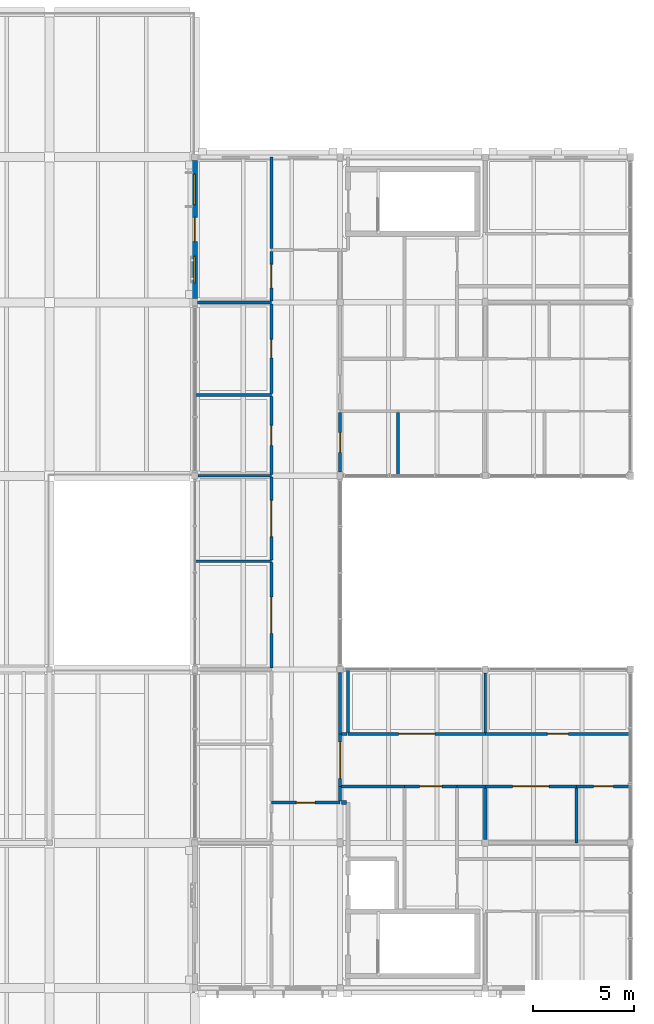
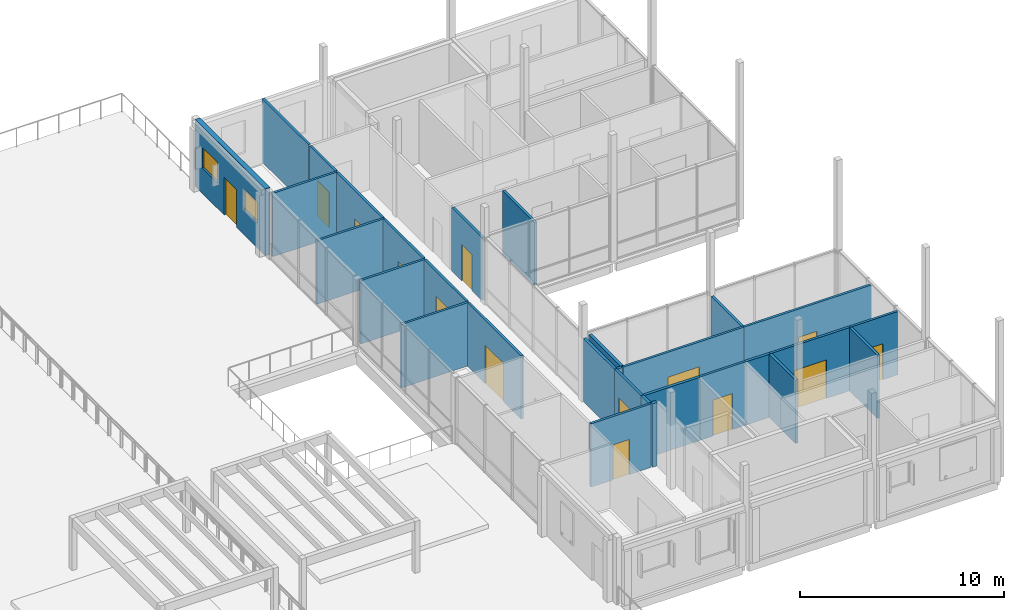
# One storey, part 93 of 115: 30 walls, 14 doors, 2 windows, 16 openings.
"""IFC4 building model written with IfcOpenShell, lengths in metres."""

from ifc_helpers import new_model, si_unit, direction, frame, frame_2d, origin, place, context, subcontext, project, spatial, rectangle, extrude, material, layer, layer_set, type_object, element, fill, save


model = new_model("IFC4")

# Units and contexts
model_context = context("Model", 3, precision=1e-05, world=origin(), true_north=direction((0.0, 1.0)))
body_context = subcontext(model_context, "Body", "Model", "MODEL_VIEW")
ifc_project = project(units=[si_unit("LENGTHUNIT", "METRE"), si_unit("AREAUNIT", "SQUARE_METRE"), si_unit("VOLUMEUNIT", "CUBIC_METRE"), si_unit("PLANEANGLEUNIT", "RADIAN"), si_unit("MASSUNIT", "GRAM", prefix="KILO")], contexts=[model_context])

# Site, building, storey
site_placement = place(None, origin())
site = spatial("IfcSite", under=ifc_project, at=site_placement, CompositionType="ELEMENT")
building_placement = place(site_placement, origin())
building = spatial("IfcBuilding", under=site, at=building_placement, Name="Hawrajan Terrace Health Centre", CompositionType="ELEMENT")
storey_placement = place(building_placement, frame((0.0, 0.0, 9.0)))
storey = spatial("IfcBuildingStorey", under=building, at=storey_placement, Name="L02", CompositionType="ELEMENT", Elevation=9.0)

# Walls
ifc_material_1 = material(Name="Gypsum board on acoustic stud framing")
ifc_layer_1 = layer(ifc_material_1, 0.139892578125)
ifc_layer_set_1 = layer_set([ifc_layer_1], Name="Gypsum board on acoustic stud framing")
wall_type_1 = type_object("IfcWallType", Name="ClinicalAcousticWall_140", PredefinedType="PARTITIONING", material=ifc_layer_set_1)
wall_1_placement = place(storey_placement, frame((143.800048828125, 32.56591796875, 0.0), z_axis=(0.0, 0.0, 1.0), x_axis=(1.0, 0.0, 0.0)))
element("IfcWall", 1, at=wall_1_placement, inside=storey, type_object=wall_type_1, Name="Interior wall IW-L02-1166", PredefinedType="PARTITIONING", context=body_context, shape_type="SweptSolid", body=[
    extrude(rectangle(XDim=3.800048828125, YDim=0.139892578125, at=frame_2d((1.89990234375, 0.0))), origin(), (0.0, 0.0, 1.0), 3.780029296875),
])
wall_2_placement = place(storey_placement, frame((143.9599609375, 36.800048828125, 0.0), z_axis=(0.0, 0.0, 1.0), x_axis=(1.0, 0.0, 0.0)))
element("IfcWall", 2, at=wall_2_placement, inside=storey, type_object=wall_type_1, Name="Interior wall IW-L02-1167", PredefinedType="PARTITIONING", context=body_context, shape_type="SweptSolid", body=[
    extrude(rectangle(XDim=3.64013671875, YDim=0.139892578125, at=frame_2d((1.820068359375, 0.0))), origin(), (0.0, 0.0, 1.0), 3.780029296875),
])
wall_3_placement = place(storey_placement, frame((143.800048828125, 40.80810546875, 0.0), z_axis=(0.0, 0.0, 1.0), x_axis=(1.0, 0.0, 0.0)))
element("IfcWall", 3, at=wall_3_placement, inside=storey, type_object=wall_type_1, Name="Interior wall IW-L02-1168", PredefinedType="PARTITIONING", context=body_context, shape_type="SweptSolid", body=[
    extrude(rectangle(XDim=3.800048828125, YDim=0.139892578125, at=frame_2d((1.89990234375, 0.0))), origin(), (0.0, 0.0, 1.0), 3.780029296875),
])
wall_4_placement = place(storey_placement, frame((143.93994140625, 45.39990234375, 0.0), z_axis=(0.0, 0.0, 1.0), x_axis=(1.0, 0.0, 0.0)))
element("IfcWall", 4, at=wall_4_placement, inside=storey, type_object=wall_type_1, Name="Interior wall IW-L02-1169", PredefinedType="PARTITIONING", context=body_context, shape_type="SweptSolid", body=[
    extrude(rectangle(XDim=3.66015625, YDim=0.139892578125, at=frame_2d((1.830078125, 0.0))), origin(), (0.0, 0.0, 1.0), 3.780029296875),
])

# Wall, opening, door
wall_5_placement = place(storey_placement, frame((147.60009765625, 20.60009765625, 0.0), z_axis=(0.0, 0.0, 1.0), x_axis=(1.0, 0.0, 0.0)))
wall_5 = element("IfcWall", 5, at=wall_5_placement, inside=storey, type_object=wall_type_1, Name="Interior wall IW-L02-1173", PredefinedType="PARTITIONING", context=body_context, shape_type="SweptSolid", body=[
    extrude(rectangle(XDim=3.39990234375, YDim=0.139892578125, at=frame_2d((1.699951171875, 0.0))), origin(), (0.0, 0.0, 1.0), 3.780029296875),
])
opening_1_placement = place(wall_5_placement, frame((1.239990234375, 0.0, 0.0)))
opening_1 = element("IfcOpeningElement", 6, at=opening_1_placement, cuts=wall_5, Name="Opening D-L02-443", PredefinedType="OPENING", context=body_context, shape_type="SweptSolid", body=[
    extrude(rectangle(XDim=0.919921875, YDim=2.10009765625, at=frame_2d((0.4599609375, 1.050048828125))), frame((0.0, 0.079833984375, 0.0), z_axis=(0.0, -1.0, 0.0), x_axis=(1.0, 0.0, 0.0)), (0.0, 0.0, 1.0), 0.159912109375),
])
ifc_material_2 = material(Name="Hardwood acoustic clinical door leaf and frame", Category="wood")
door_type_1 = type_object("IfcDoorType", Name="StaffOfficeDoor_920x2100", OperationType="NOTDEFINED", PredefinedType="DOOR", material=ifc_material_2)
door_1_placement = place(opening_1_placement, origin())
door_1 = element("IfcDoor", 7, at=door_1_placement, inside=storey, type_object=door_type_1, Name="Interior door D-L02-443", OperationType="SINGLE_SWING_LEFT", OverallHeight=2.10009765625, OverallWidth=0.919921875, PredefinedType="DOOR", context=body_context, shape_type="SweptSolid", body=[
    extrude(rectangle(XDim=0.919921875, YDim=2.10009765625, at=frame_2d((0.4599609375, 1.050048828125))), frame((0.0, 0.02490234375, 0.0), z_axis=(0.0, -1.0, 0.0), x_axis=(1.0, 0.0, 0.0)), (0.0, 0.0, 1.0), 0.050048828125),
])
fill(opening_1, door_1)

wall_6_placement = place(storey_placement, frame((147.60009765625, 27.27001953125, 0.0), z_axis=(0.0, 0.0, 1.0), x_axis=(0.0, 1.0, 0.0)))
wall_6 = element("IfcWall", 8, at=wall_6_placement, inside=storey, type_object=wall_type_1, Name="Interior wall IW-L02-1175", PredefinedType="PARTITIONING", context=body_context, shape_type="SweptSolid", body=[
    extrude(rectangle(XDim=5.22607421875, YDim=0.139892578125, at=frame_2d((2.613037109375, 0.0))), origin(), (0.0, 0.0, 1.0), 3.780029296875),
])
opening_2_placement = place(wall_6_placement, frame((1.712890625, 0.0, 0.0)))
opening_2 = element("IfcOpeningElement", 9, at=opening_2_placement, cuts=wall_6, Name="Opening D-L02-548", PredefinedType="OPENING", context=body_context, shape_type="SweptSolid", body=[
    extrude(rectangle(XDim=1.800048828125, YDim=2.300048828125, at=frame_2d((0.89990234375, 1.14990234375))), frame((0.0, 0.079833984375, 0.0), z_axis=(0.0, -1.0, 0.0), x_axis=(1.0, 0.0, 0.0)), (0.0, 0.0, 1.0), 0.159912109375),
])
door_type_2 = type_object("IfcDoorType", Name="EducationHallDoor_1800x2300", OperationType="DOUBLE_DOOR_SINGLE_SWING", PredefinedType="DOOR", material=ifc_material_2)
door_2_placement = place(opening_2_placement, origin())
door_2 = element("IfcDoor", 10, at=door_2_placement, inside=storey, type_object=door_type_2, Name="Interior door D-L02-548", OperationType="DOUBLE_DOOR_SINGLE_SWING", OverallHeight=2.300048828125, OverallWidth=1.800048828125, PredefinedType="DOOR", context=body_context, shape_type="SweptSolid", body=[
    extrude(rectangle(XDim=1.800048828125, YDim=2.300048828125, at=frame_2d((0.89990234375, 1.14990234375))), frame((0.0, 0.02490234375, 0.0), z_axis=(0.0, -1.0, 0.0), x_axis=(1.0, 0.0, 0.0)), (0.0, 0.0, 1.0), 0.050048828125),
])
fill(opening_2, door_2)

wall_7_placement = place(storey_placement, frame((147.60009765625, 32.635986328125, 0.0), z_axis=(0.0, 0.0, 1.0), x_axis=(0.0, 1.0, 0.0)))
wall_7 = element("IfcWall", 11, at=wall_7_placement, inside=storey, type_object=wall_type_1, Name="Interior wall IW-L02-1176", PredefinedType="PARTITIONING", context=body_context, shape_type="SweptSolid", body=[
    extrude(rectangle(XDim=4.093994140625, YDim=0.139892578125, at=frame_2d((2.046875, 0.0))), origin(), (0.0, 0.0, 1.0), 3.780029296875),
])
opening_3_placement = place(wall_7_placement, frame((1.14697265625, 0.0, 0.0)))
opening_3 = element("IfcOpeningElement", 12, at=opening_3_placement, cuts=wall_7, Name="Opening D-L02-549", PredefinedType="OPENING", context=body_context, shape_type="SweptSolid", body=[
    extrude(rectangle(XDim=1.800048828125, YDim=2.300048828125, at=frame_2d((0.89990234375, 1.14990234375))), frame((0.0, 0.079833984375, 0.0), z_axis=(0.0, -1.0, 0.0), x_axis=(1.0, 0.0, 0.0)), (0.0, 0.0, 1.0), 0.159912109375),
])
door_3_placement = place(opening_3_placement, origin())
door_3 = element("IfcDoor", 13, at=door_3_placement, inside=storey, type_object=door_type_2, Name="Interior door D-L02-549", OperationType="DOUBLE_DOOR_SINGLE_SWING", OverallHeight=2.300048828125, OverallWidth=1.800048828125, PredefinedType="DOOR", context=body_context, shape_type="SweptSolid", body=[
    extrude(rectangle(XDim=1.800048828125, YDim=2.300048828125, at=frame_2d((0.89990234375, 1.14990234375))), frame((0.0, 0.02490234375, 0.0), z_axis=(0.0, -1.0, 0.0), x_axis=(1.0, 0.0, 0.0)), (0.0, 0.0, 1.0), 0.050048828125),
])
fill(opening_3, door_3)

wall_8_placement = place(storey_placement, frame((147.60009765625, 36.8701171875, 0.0), z_axis=(0.0, 0.0, 1.0), x_axis=(0.0, 1.0, 0.0)))
wall_8 = element("IfcWall", 14, at=wall_8_placement, inside=storey, type_object=wall_type_1, Name="Interior wall IW-L02-1177", PredefinedType="PARTITIONING", context=body_context, shape_type="SweptSolid", body=[
    extrude(rectangle(XDim=3.867919921875, YDim=0.139892578125, at=frame_2d((1.93408203125, 0.0))), origin(), (0.0, 0.0, 1.0), 3.780029296875),
])
opening_4_placement = place(wall_8_placement, frame((1.444091796875, 0.0, 0.0)))
opening_4 = element("IfcOpeningElement", 15, at=opening_4_placement, cuts=wall_8, Name="Opening D-L02-550", PredefinedType="OPENING", context=body_context, shape_type="SweptSolid", body=[
    extrude(rectangle(XDim=0.97998046875, YDim=2.14990234375, at=frame_2d((0.489990234375, 1.074951171875))), frame((0.0, 0.079833984375, 0.0), z_axis=(0.0, -1.0, 0.0), x_axis=(1.0, 0.0, 0.0)), (0.0, 0.0, 1.0), 0.159912109375),
])
door_type_3 = type_object("IfcDoorType", Name="ConsultDoor_980x2150", OperationType="NOTDEFINED", PredefinedType="DOOR", material=ifc_material_2)
door_4_placement = place(opening_4_placement, origin())
door_4 = element("IfcDoor", 16, at=door_4_placement, inside=storey, type_object=door_type_3, Name="Interior door D-L02-550", OperationType="SINGLE_SWING_RIGHT", OverallHeight=2.14990234375, OverallWidth=0.97998046875, PredefinedType="DOOR", context=body_context, shape_type="SweptSolid", body=[
    extrude(rectangle(XDim=0.97998046875, YDim=2.14990234375, at=frame_2d((0.489990234375, 1.074951171875))), frame((0.0, 0.02490234375, 0.0), z_axis=(0.0, -1.0, 0.0), x_axis=(1.0, 0.0, 0.0)), (0.0, 0.0, 1.0), 0.050048828125),
])
fill(opening_4, door_4)

wall_9_placement = place(storey_placement, frame((147.60009765625, 40.8779296875, 0.0), z_axis=(0.0, 0.0, 1.0), x_axis=(0.0, 1.0, 0.0)))
wall_9 = element("IfcWall", 17, at=wall_9_placement, inside=storey, type_object=wall_type_1, Name="Interior wall IW-L02-1178", PredefinedType="PARTITIONING", context=body_context, shape_type="SweptSolid", body=[
    extrude(rectangle(XDim=4.4521484375, YDim=0.139892578125, at=frame_2d((2.22607421875, 0.0))), origin(), (0.0, 0.0, 1.0), 3.780029296875),
])
opening_5_placement = place(wall_9_placement, frame((1.76611328125, 0.0, 0.0)))
opening_5 = element("IfcOpeningElement", 18, at=opening_5_placement, cuts=wall_9, Name="Opening D-L02-551", PredefinedType="OPENING", context=body_context, shape_type="SweptSolid", body=[
    extrude(rectangle(XDim=0.919921875, YDim=2.10009765625, at=frame_2d((0.4599609375, 1.050048828125))), frame((0.0, 0.079833984375, 0.0), z_axis=(0.0, -1.0, 0.0), x_axis=(1.0, 0.0, 0.0)), (0.0, 0.0, 1.0), 0.159912109375),
])
door_5_placement = place(opening_5_placement, origin())
door_5 = element("IfcDoor", 19, at=door_5_placement, inside=storey, type_object=door_type_1, Name="Interior door D-L02-551", OperationType="SINGLE_SWING_LEFT", OverallHeight=2.10009765625, OverallWidth=0.919921875, PredefinedType="DOOR", context=body_context, shape_type="SweptSolid", body=[
    extrude(rectangle(XDim=0.919921875, YDim=2.10009765625, at=frame_2d((0.4599609375, 1.050048828125))), frame((0.0, 0.02490234375, 0.0), z_axis=(0.0, -1.0, 0.0), x_axis=(1.0, 0.0, 0.0)), (0.0, 0.0, 1.0), 0.050048828125),
])
fill(opening_5, door_5)

wall_10_placement = place(storey_placement, frame((147.60009765625, 45.469970703125, 0.0), z_axis=(0.0, 0.0, 1.0), x_axis=(0.0, 1.0, 0.0)))
wall_10 = element("IfcWall", 20, at=wall_10_placement, inside=storey, type_object=wall_type_1, Name="Interior wall IW-L02-1179", PredefinedType="PARTITIONING", context=body_context, shape_type="SweptSolid", body=[
    extrude(rectangle(XDim=2.4599609375, YDim=0.139892578125, at=frame_2d((1.22998046875, 0.0))), origin(), (0.0, 0.0, 1.0), 3.780029296875),
])
opening_6_placement = place(wall_10_placement, frame((0.64990234375, 0.0, 0.0)))
opening_6 = element("IfcOpeningElement", 21, at=opening_6_placement, cuts=wall_10, Name="Opening D-L02-552", PredefinedType="OPENING", context=body_context, shape_type="SweptSolid", body=[
    extrude(rectangle(XDim=1.159912109375, YDim=2.10009765625, at=frame_2d((0.580078125, 1.050048828125))), frame((0.0, 0.079833984375, 0.0), z_axis=(0.0, -1.0, 0.0), x_axis=(1.0, 0.0, 0.0)), (0.0, 0.0, 1.0), 0.159912109375),
])
door_type_4 = type_object("IfcDoorType", Name="ConsultDoor_1160x2100", OperationType="NOTDEFINED", PredefinedType="DOOR", material=ifc_material_2)
door_6_placement = place(opening_6_placement, origin())
door_6 = element("IfcDoor", 22, at=door_6_placement, inside=storey, type_object=door_type_4, Name="Interior door D-L02-552", OperationType="SINGLE_SWING_RIGHT", OverallHeight=2.10009765625, OverallWidth=1.159912109375, PredefinedType="DOOR", context=body_context, shape_type="SweptSolid", body=[
    extrude(rectangle(XDim=1.159912109375, YDim=2.10009765625, at=frame_2d((0.580078125, 1.050048828125))), frame((0.0, 0.02490234375, 0.0), z_axis=(0.0, -1.0, 0.0), x_axis=(1.0, 0.0, 0.0)), (0.0, 0.0, 1.0), 0.050048828125),
])
fill(opening_6, door_6)

# Wall
wall_11_placement = place(storey_placement, frame((147.60009765625, 48.070068359375, 0.0), z_axis=(0.0, 0.0, 1.0), x_axis=(0.0, 1.0, 0.0)))
element("IfcWall", 23, at=wall_11_placement, inside=storey, type_object=wall_type_1, Name="Interior wall IW-L02-1180", PredefinedType="PARTITIONING", context=body_context, shape_type="SweptSolid", body=[
    extrude(rectangle(XDim=4.530029296875, YDim=0.139892578125, at=frame_2d((2.26513671875, 0.0))), origin(), (0.0, 0.0, 1.0), 3.780029296875),
])

# Wall, opening, door
wall_12_placement = place(storey_placement, frame((151.0, 21.39990234375, 0.0), z_axis=(0.0, 0.0, 1.0), x_axis=(0.0, 1.0, 0.0)))
wall_12 = element("IfcWall", 24, at=wall_12_placement, inside=storey, type_object=wall_type_1, Name="Interior wall IW-L02-1182", PredefinedType="PARTITIONING", context=body_context, shape_type="SweptSolid", body=[
    extrude(rectangle(XDim=2.60009765625, YDim=0.139892578125, at=frame_2d((1.300048828125, 0.0))), origin(), (0.0, 0.0, 1.0), 3.780029296875),
])
opening_7_placement = place(wall_12_placement, frame((0.39990234375, 0.0, 0.0)))
opening_7 = element("IfcOpeningElement", 25, at=opening_7_placement, cuts=wall_12, Name="Opening D-L02-453", PredefinedType="OPENING", context=body_context, shape_type="SweptSolid", body=[
    extrude(rectangle(XDim=1.800048828125, YDim=2.300048828125, at=frame_2d((0.89990234375, 1.14990234375))), frame((0.0, 0.079833984375, 0.0), z_axis=(0.0, -1.0, 0.0), x_axis=(1.0, 0.0, 0.0)), (0.0, 0.0, 1.0), 0.159912109375),
])
door_7_placement = place(opening_7_placement, origin())
door_7 = element("IfcDoor", 26, at=door_7_placement, inside=storey, type_object=door_type_2, Name="Interior door D-L02-453", OperationType="DOUBLE_DOOR_SINGLE_SWING", OverallHeight=2.300048828125, OverallWidth=1.800048828125, PredefinedType="DOOR", context=body_context, shape_type="SweptSolid", body=[
    extrude(rectangle(XDim=1.800048828125, YDim=2.300048828125, at=frame_2d((0.89990234375, 1.14990234375))), frame((0.0, 0.02490234375, 0.0), z_axis=(0.0, -1.0, 0.0), x_axis=(1.0, 0.0, 0.0)), (0.0, 0.0, 1.0), 0.050048828125),
])
fill(opening_7, door_7)

wall_13_placement = place(storey_placement, frame((151.0, 36.97998046875, 0.0), z_axis=(0.0, 0.0, 1.0), x_axis=(0.0, 1.0, 0.0)))
wall_13 = element("IfcWall", 27, at=wall_13_placement, inside=storey, type_object=wall_type_1, Name="Interior wall IW-L02-1183", PredefinedType="PARTITIONING", context=body_context, shape_type="SweptSolid", body=[
    extrude(rectangle(XDim=2.949951171875, YDim=0.139892578125, at=frame_2d((1.47509765625, 0.0))), origin(), (0.0, 0.0, 1.0), 3.780029296875),
])
opening_8_placement = place(wall_13_placement, frame((0.985107421875, 0.0, 0.0)))
opening_8 = element("IfcOpeningElement", 28, at=opening_8_placement, cuts=wall_13, Name="Opening D-L02-554", PredefinedType="OPENING", context=body_context, shape_type="SweptSolid", body=[
    extrude(rectangle(XDim=0.97998046875, YDim=2.14990234375, at=frame_2d((0.489990234375, 1.074951171875))), frame((0.0, 0.079833984375, 0.0), z_axis=(0.0, -1.0, 0.0), x_axis=(1.0, 0.0, 0.0)), (0.0, 0.0, 1.0), 0.159912109375),
])
door_8_placement = place(opening_8_placement, origin())
door_8 = element("IfcDoor", 29, at=door_8_placement, inside=storey, type_object=door_type_3, Name="Interior door D-L02-554", OperationType="SINGLE_SWING_RIGHT", OverallHeight=2.14990234375, OverallWidth=0.97998046875, PredefinedType="DOOR", context=body_context, shape_type="SweptSolid", body=[
    extrude(rectangle(XDim=0.97998046875, YDim=2.14990234375, at=frame_2d((0.489990234375, 1.074951171875))), frame((0.0, 0.02490234375, 0.0), z_axis=(0.0, -1.0, 0.0), x_axis=(1.0, 0.0, 0.0)), (0.0, 0.0, 1.0), 0.050048828125),
])
fill(opening_8, door_8)

wall_14_placement = place(storey_placement, frame((151.39990234375, 24.0, 0.0), z_axis=(0.0, 0.0, 1.0), x_axis=(1.0, 0.0, 0.0)))
wall_14 = element("IfcWall", 30, at=wall_14_placement, inside=storey, type_object=wall_type_1, Name="Interior wall IW-L02-1186", PredefinedType="PARTITIONING", context=body_context, shape_type="SweptSolid", body=[
    extrude(rectangle(XDim=6.800048828125, YDim=0.139892578125, at=frame_2d((3.39990234375, 0.0))), origin(), (0.0, 0.0, 1.0), 3.780029296875),
])
opening_9_placement = place(wall_14_placement, frame((2.5, 0.0, 0.0)))
opening_9 = element("IfcOpeningElement", 31, at=opening_9_placement, cuts=wall_14, Name="Opening D-L02-553", PredefinedType="OPENING", context=body_context, shape_type="SweptSolid", body=[
    extrude(rectangle(XDim=1.800048828125, YDim=2.300048828125, at=frame_2d((0.89990234375, 1.14990234375))), frame((0.0, 0.079833984375, 0.0), z_axis=(0.0, -1.0, 0.0), x_axis=(1.0, 0.0, 0.0)), (0.0, 0.0, 1.0), 0.159912109375),
])
door_9_placement = place(opening_9_placement, origin())
door_9 = element("IfcDoor", 32, at=door_9_placement, inside=storey, type_object=door_type_2, Name="Interior door D-L02-553", OperationType="DOUBLE_DOOR_SINGLE_SWING", OverallHeight=2.300048828125, OverallWidth=1.800048828125, PredefinedType="DOOR", context=body_context, shape_type="SweptSolid", body=[
    extrude(rectangle(XDim=1.800048828125, YDim=2.300048828125, at=frame_2d((0.89990234375, 1.14990234375))), frame((0.0, 0.02490234375, 0.0), z_axis=(0.0, -1.0, 0.0), x_axis=(1.0, 0.0, 0.0)), (0.0, 0.0, 1.0), 0.050048828125),
])
fill(opening_9, door_9)

# Wall
wall_15_placement = place(storey_placement, frame((153.865966796875, 36.800048828125, 0.0), z_axis=(0.0, 0.0, 1.0), x_axis=(0.0, 1.0, 0.0)))
element("IfcWall", 33, at=wall_15_placement, inside=storey, type_object=wall_type_1, Name="Interior wall IW-L02-1187", PredefinedType="PARTITIONING", context=body_context, shape_type="SweptSolid", body=[
    extrude(rectangle(XDim=3.1298828125, YDim=0.139892578125, at=frame_2d((1.56494140625, 0.0))), origin(), (0.0, 0.0, 1.0), 3.780029296875),
])

# Wall, opening, door
wall_16_placement = place(storey_placement, frame((154.199951171875, 21.39990234375, 0.0), z_axis=(0.0, 0.0, 1.0), x_axis=(1.0, 0.0, 0.0)))
wall_16 = element("IfcWall", 34, at=wall_16_placement, inside=storey, type_object=wall_type_1, Name="Interior wall IW-L02-1189", PredefinedType="PARTITIONING", context=body_context, shape_type="SweptSolid", body=[
    extrude(rectangle(XDim=2.60009765625, YDim=0.139892578125, at=frame_2d((1.300048828125, 0.0))), origin(), (0.0, 0.0, 1.0), 3.780029296875),
])
opening_10_placement = place(wall_16_placement, frame((0.739990234375, 0.0, 0.0)))
opening_10 = element("IfcOpeningElement", 35, at=opening_10_placement, cuts=wall_16, Name="Opening D-L02-455", PredefinedType="OPENING", context=body_context, shape_type="SweptSolid", body=[
    extrude(rectangle(XDim=1.1201171875, YDim=2.14990234375, at=frame_2d((0.56005859375, 1.074951171875))), frame((0.0, 0.079833984375, 0.0), z_axis=(0.0, -1.0, 0.0), x_axis=(1.0, 0.0, 0.0)), (0.0, 0.0, 1.0), 0.159912109375),
])
door_type_5 = type_object("IfcDoorType", Name="DentalSurgeryDoor_1120x2150", OperationType="NOTDEFINED", PredefinedType="DOOR", material=ifc_material_2)
door_10_placement = place(opening_10_placement, origin())
door_10 = element("IfcDoor", 36, at=door_10_placement, inside=storey, type_object=door_type_5, Name="Interior door D-L02-455", OperationType="SINGLE_SWING_LEFT", OverallHeight=2.14990234375, OverallWidth=1.1201171875, PredefinedType="DOOR", context=body_context, shape_type="SweptSolid", body=[
    extrude(rectangle(XDim=1.1201171875, YDim=2.14990234375, at=frame_2d((0.56005859375, 1.074951171875))), frame((0.0, 0.02490234375, 0.0), z_axis=(0.0, -1.0, 0.0), x_axis=(1.0, 0.0, 0.0)), (0.0, 0.0, 1.0), 0.050048828125),
])
fill(opening_10, door_10)

wall_17_placement = place(storey_placement, frame((158.199951171875, 21.39990234375, 0.0), z_axis=(0.0, 0.0, 1.0), x_axis=(1.0, 0.0, 0.0)))
wall_17 = element("IfcWall", 37, at=wall_17_placement, inside=storey, type_object=wall_type_1, Name="Interior wall IW-L02-1194", PredefinedType="PARTITIONING", context=body_context, shape_type="SweptSolid", body=[
    extrude(rectangle(XDim=4.52197265625, YDim=0.139892578125, at=frame_2d((2.260986328125, 0.0))), origin(), (0.0, 0.0, 1.0), 3.780029296875),
])
opening_11_placement = place(wall_17_placement, frame((1.361083984375, 0.0, 0.0)))
opening_11 = element("IfcOpeningElement", 38, at=opening_11_placement, cuts=wall_17, Name="Opening D-L02-557", PredefinedType="OPENING", context=body_context, shape_type="SweptSolid", body=[
    extrude(rectangle(XDim=1.800048828125, YDim=2.300048828125, at=frame_2d((0.89990234375, 1.14990234375))), frame((0.0, 0.079833984375, 0.0), z_axis=(0.0, -1.0, 0.0), x_axis=(1.0, 0.0, 0.0)), (0.0, 0.0, 1.0), 0.159912109375),
])
door_11_placement = place(opening_11_placement, origin())
door_11 = element("IfcDoor", 39, at=door_11_placement, inside=storey, type_object=door_type_2, Name="Interior door D-L02-557", OperationType="DOUBLE_DOOR_SINGLE_SWING", OverallHeight=2.300048828125, OverallWidth=1.800048828125, PredefinedType="DOOR", context=body_context, shape_type="SweptSolid", body=[
    extrude(rectangle(XDim=1.800048828125, YDim=2.300048828125, at=frame_2d((0.89990234375, 1.14990234375))), frame((0.0, 0.02490234375, 0.0), z_axis=(0.0, -1.0, 0.0), x_axis=(1.0, 0.0, 0.0)), (0.0, 0.0, 1.0), 0.050048828125),
])
fill(opening_11, door_11)

# Wall
wall_18_placement = place(storey_placement, frame((158.199951171875, 24.070068359375, 0.0), z_axis=(0.0, 0.0, 1.0), x_axis=(0.0, 1.0, 0.0)))
element("IfcWall", 40, at=wall_18_placement, inside=storey, type_object=wall_type_1, Name="Interior wall IW-L02-1195", PredefinedType="PARTITIONING", context=body_context, shape_type="SweptSolid", body=[
    extrude(rectangle(XDim=2.949951171875, YDim=0.139892578125, at=frame_2d((1.47509765625, 0.0))), origin(), (0.0, 0.0, 1.0), 3.780029296875),
])

# Wall, opening, door
wall_19_placement = place(storey_placement, frame((158.199951171875, 24.0, 0.0), z_axis=(0.0, 0.0, 1.0), x_axis=(1.0, 0.0, 0.0)))
wall_19 = element("IfcWall", 41, at=wall_19_placement, inside=storey, type_object=wall_type_1, Name="Interior wall IW-L02-1196", PredefinedType="PARTITIONING", context=body_context, shape_type="SweptSolid", body=[
    extrude(rectangle(XDim=7.199951171875, YDim=0.139892578125, at=frame_2d((3.60009765625, 0.0))), origin(), (0.0, 0.0, 1.0), 3.780029296875),
])
opening_12_placement = place(wall_19_placement, frame((3.080078125, 0.0, 0.0)))
opening_12 = element("IfcOpeningElement", 42, at=opening_12_placement, cuts=wall_19, Name="Opening D-L02-559", PredefinedType="OPENING", context=body_context, shape_type="SweptSolid", body=[
    extrude(rectangle(XDim=1.0400390625, YDim=2.10009765625, at=frame_2d((0.52001953125, 1.050048828125))), frame((0.0, 0.079833984375, 0.0), z_axis=(0.0, -1.0, 0.0), x_axis=(1.0, 0.0, 0.0)), (0.0, 0.0, 1.0), 0.159912109375),
])
door_type_6 = type_object("IfcDoorType", Name="ConsultDoor_1040x2100", OperationType="NOTDEFINED", PredefinedType="DOOR", material=ifc_material_2)
door_12_placement = place(opening_12_placement, origin())
door_12 = element("IfcDoor", 43, at=door_12_placement, inside=storey, type_object=door_type_6, Name="Interior door D-L02-559", OperationType="SINGLE_SWING_LEFT", OverallHeight=2.10009765625, OverallWidth=1.0400390625, PredefinedType="DOOR", context=body_context, shape_type="SweptSolid", body=[
    extrude(rectangle(XDim=1.0400390625, YDim=2.10009765625, at=frame_2d((0.52001953125, 1.050048828125))), frame((0.0, 0.02490234375, 0.0), z_axis=(0.0, -1.0, 0.0), x_axis=(1.0, 0.0, 0.0)), (0.0, 0.0, 1.0), 0.050048828125),
])
fill(opening_12, door_12)

# Wall
wall_20_placement = place(storey_placement, frame((162.721923828125, 18.60009765625, 0.0), z_axis=(0.0, 0.0, 1.0), x_axis=(0.0, 1.0, 0.0)))
element("IfcWall", 44, at=wall_20_placement, inside=storey, type_object=wall_type_1, Name="Interior wall IW-L02-1207", PredefinedType="PARTITIONING", context=body_context, shape_type="SweptSolid", body=[
    extrude(rectangle(XDim=2.72998046875, YDim=0.139892578125, at=frame_2d((1.364990234375, 0.0))), origin(), (0.0, 0.0, 1.0), 3.780029296875),
])

# Wall, opening, door
wall_21_placement = place(storey_placement, frame((162.721923828125, 21.39990234375, 0.0), z_axis=(0.0, 0.0, 1.0), x_axis=(1.0, 0.0, 0.0)))
wall_21 = element("IfcWall", 45, at=wall_21_placement, inside=storey, type_object=wall_type_1, Name="Interior wall IW-L02-1208", PredefinedType="PARTITIONING", context=body_context, shape_type="SweptSolid", body=[
    extrude(rectangle(XDim=2.677978515625, YDim=0.139892578125, at=frame_2d((1.3388671875, 0.0))), origin(), (0.0, 0.0, 1.0), 3.780029296875),
])
opening_13_placement = place(wall_21_placement, frame((0.84912109375, 0.0, 0.0)))
opening_13 = element("IfcOpeningElement", 46, at=opening_13_placement, cuts=wall_21, Name="Opening D-L02-558", PredefinedType="OPENING", context=body_context, shape_type="SweptSolid", body=[
    extrude(rectangle(XDim=0.97998046875, YDim=2.14990234375, at=frame_2d((0.489990234375, 1.074951171875))), frame((0.0, 0.079833984375, 0.0), z_axis=(0.0, -1.0, 0.0), x_axis=(1.0, 0.0, 0.0)), (0.0, 0.0, 1.0), 0.159912109375),
])
door_13_placement = place(opening_13_placement, origin())
door_13 = element("IfcDoor", 47, at=door_13_placement, inside=storey, type_object=door_type_3, Name="Interior door D-L02-558", OperationType="SINGLE_SWING_RIGHT", OverallHeight=2.14990234375, OverallWidth=0.97998046875, PredefinedType="DOOR", context=body_context, shape_type="SweptSolid", body=[
    extrude(rectangle(XDim=0.97998046875, YDim=2.14990234375, at=frame_2d((0.489990234375, 1.074951171875))), frame((0.0, 0.02490234375, 0.0), z_axis=(0.0, -1.0, 0.0), x_axis=(1.0, 0.0, 0.0)), (0.0, 0.0, 1.0), 0.050048828125),
])
fill(opening_13, door_13)

# Walls
ifc_layer_2 = layer(ifc_material_1, 0.159912109375)
ifc_layer_set_2 = layer_set([ifc_layer_2], Name="Gypsum board on acoustic stud framing")
wall_type_2 = type_object("IfcWallType", Name="CorridorFireWall_160", PredefinedType="PARTITIONING", material=ifc_layer_set_2)
wall_22_placement = place(storey_placement, frame((151.0, 20.669921875, 0.0), z_axis=(0.0, 0.0, 1.0), x_axis=(0.0, 1.0, 0.0)))
element("IfcWall", 48, at=wall_22_placement, inside=storey, type_object=wall_type_2, Name="Interior wall IW-L02-1231", PredefinedType="PARTITIONING", context=body_context, shape_type="SweptSolid", body=[
    extrude(rectangle(XDim=0.72998046875, YDim=0.159912109375, at=frame_2d((0.364990234375, 0.0))), origin(), (0.0, 0.0, 1.0), 3.780029296875),
])
wall_23_placement = place(storey_placement, frame((151.0, 24.0, 0.0), z_axis=(0.0, 0.0, 1.0), x_axis=(0.0, 1.0, 0.0)))
element("IfcWall", 49, at=wall_23_placement, inside=storey, type_object=wall_type_2, Name="Interior wall IW-L02-1232", PredefinedType="PARTITIONING", context=body_context, shape_type="SweptSolid", body=[
    extrude(rectangle(XDim=3.0400390625, YDim=0.159912109375, at=frame_2d((1.52001953125, 0.0))), origin(), (0.0, 0.0, 1.0), 3.780029296875),
])
wall_24_placement = place(storey_placement, frame((151.0, 21.39990234375, 0.0), z_axis=(0.0, 0.0, 1.0), x_axis=(1.0, 0.0, 0.0)))
element("IfcWall", 50, at=wall_24_placement, inside=storey, type_object=wall_type_2, Name="Interior wall IW-L02-1238", PredefinedType="PARTITIONING", context=body_context, shape_type="SweptSolid", body=[
    extrude(rectangle(XDim=3.199951171875, YDim=0.159912109375, at=frame_2d((1.60009765625, 0.0))), origin(), (0.0, 0.0, 1.0), 3.780029296875),
])
wall_25_placement = place(storey_placement, frame((156.800048828125, 21.39990234375, 0.0), z_axis=(0.0, 0.0, 1.0), x_axis=(1.0, 0.0, 0.0)))
element("IfcWall", 51, at=wall_25_placement, inside=storey, type_object=wall_type_2, Name="Interior wall IW-L02-1239", PredefinedType="PARTITIONING", context=body_context, shape_type="SweptSolid", body=[
    extrude(rectangle(XDim=1.39990234375, YDim=0.159912109375, at=frame_2d((0.699951171875, 0.0))), origin(), (0.0, 0.0, 1.0), 3.780029296875),
])
wall_26_placement = place(storey_placement, frame((151.340087890625, 24.0, 0.0), z_axis=(0.0, 0.0, 1.0), x_axis=(-1.0, 0.0, 0.0)))
element("IfcWall", 52, at=wall_26_placement, inside=storey, type_object=wall_type_2, Name="Interior wall IW-L02-1240", PredefinedType="PARTITIONING", context=body_context, shape_type="SweptSolid", body=[
    extrude(rectangle(XDim=0.280029296875, YDim=0.159912109375, at=frame_2d((0.14013671875, 0.0))), origin(), (0.0, 0.0, 1.0), 3.780029296875),
])
wall_27_placement = place(storey_placement, frame((151.39990234375, 24.070068359375, 0.0), z_axis=(0.0, 0.0, 1.0), x_axis=(0.0, 1.0, 0.0)))
element("IfcWall", 53, at=wall_27_placement, inside=storey, type_object=wall_type_2, Name="Interior wall IW-L02-1264", PredefinedType="PARTITIONING", context=body_context, shape_type="SweptSolid", body=[
    extrude(rectangle(XDim=3.1298828125, YDim=0.159912109375, at=frame_2d((1.56494140625, 0.0))), origin(), (0.0, 0.0, 1.0), 3.780029296875),
])
wall_28_placement = place(storey_placement, frame((158.199951171875, 18.760009765625, 0.0), z_axis=(0.0, 0.0, 1.0), x_axis=(0.0, 1.0, 0.0)))
element("IfcWall", 54, at=wall_28_placement, inside=storey, type_object=wall_type_2, Name="Interior wall IW-L02-1266", PredefinedType="PARTITIONING", context=body_context, shape_type="SweptSolid", body=[
    extrude(rectangle(XDim=2.570068359375, YDim=0.159912109375, at=frame_2d((1.28515625, 0.0))), origin(), (0.0, 0.0, 1.0), 3.780029296875),
])
ifc_material_3 = material(Name="Cross-laminated timber CLT C24", Category="wood")
ifc_layer_3 = layer(ifc_material_3, 0.199951171875)
ifc_layer_set_3 = layer_set([ifc_layer_3], Name="Cross-laminated timber CLT C24")
wall_type_3 = type_object("IfcWallType", Name="FireCompartmentWall_200", PredefinedType="PARTITIONING", material=ifc_layer_set_3)
wall_29_placement = place(storey_placement, frame((151.320068359375, 20.60009765625, 0.0), z_axis=(0.0, 0.0, 1.0), x_axis=(-1.0, 0.0, 0.0)))
element("IfcWall", 55, at=wall_29_placement, inside=storey, type_object=wall_type_3, Name="Interior wall IW-L02-1222", PredefinedType="PARTITIONING", context=body_context, shape_type="SweptSolid", body=[
    extrude(rectangle(XDim=0.260009765625, YDim=0.199951171875, at=frame_2d((0.1298828125, 0.0))), origin(), (0.0, 0.0, 1.0), 3.780029296875),
])

# Wall, openings, windows, door
ifc_layer_4 = layer(ifc_material_3, 0.27001953125)
ifc_layer_set_4 = layer_set([ifc_layer_4], Name="Cross-laminated timber CLT C24")
wall_type_4 = type_object("IfcWallType", Name="PavilionFacadeWall_270", PredefinedType="SOLIDWALL", material=ifc_layer_set_4)
wall_30_placement = place(storey_placement, frame((143.800048828125, 45.580078125, 0.0), z_axis=(0.0, 0.0, 1.0), x_axis=(0.0, 1.0, 0.0)))
wall_30 = element("IfcWall", 56, at=wall_30_placement, inside=storey, type_object=wall_type_4, Name="Exterior wall EW-L02-V18-05-1", PredefinedType="SOLIDWALL", context=body_context, shape_type="SweptSolid", body=[
    extrude(rectangle(XDim=6.85986328125, YDim=0.27001953125, at=frame_2d((3.429931640625, 0.0))), origin(), (0.0, 0.0, 1.0), 4.0),
])
opening_14_placement = place(wall_30_placement, frame((2.830078125, 0.0, 0.0)))
opening_14 = element("IfcOpeningElement", 57, at=opening_14_placement, cuts=wall_30, Name="Opening D-L02-E021", PredefinedType="OPENING", context=body_context, shape_type="SweptSolid", body=[
    extrude(rectangle(XDim=1.199951171875, YDim=2.25, at=frame_2d((0.60009765625, 1.125))), frame((0.0, 0.14501953125, 0.0), z_axis=(0.0, -1.0, 0.0), x_axis=(1.0, 0.0, 0.0)), (0.0, 0.0, 1.0), 0.2900390625),
])
opening_15_placement = place(wall_30_placement, frame((0.784912109375, 0.0, 1.5)))
opening_15 = element("IfcOpeningElement", 58, at=opening_15_placement, cuts=wall_30, Name="Opening W-L02-165", PredefinedType="OPENING", context=body_context, shape_type="SweptSolid", body=[
    extrude(rectangle(XDim=1.320068359375, YDim=1.25, at=frame_2d((0.66015625, 0.625))), frame((0.0, 0.14501953125, 0.0), z_axis=(0.0, -1.0, 0.0), x_axis=(1.0, 0.0, 0.0)), (0.0, 0.0, 1.0), 0.2900390625),
])
opening_16_placement = place(wall_30_placement, frame((4.6650390625, 0.0, 1.5)))
opening_16 = element("IfcOpeningElement", 59, at=opening_16_placement, cuts=wall_30, Name="Opening W-L02-166", PredefinedType="OPENING", context=body_context, shape_type="SweptSolid", body=[
    extrude(rectangle(XDim=1.5, YDim=1.25, at=frame_2d((0.75, 0.625))), frame((0.0, 0.14501953125, 0.0), z_axis=(0.0, -1.0, 0.0), x_axis=(1.0, 0.0, 0.0)), (0.0, 0.0, 1.0), 0.2900390625),
])
ifc_material_4 = material(Name="Anodized bronze frame with double low-E glazing", Category="glass")
window_type_1 = type_object("IfcWindowType", Name="FacadeWindow_1320x1250", PartitioningType="SINGLE_PANEL", PredefinedType="WINDOW", material=ifc_material_4)
window_1_placement = place(opening_15_placement, origin())
window_1 = element("IfcWindow", 60, at=window_1_placement, inside=storey, type_object=window_type_1, Name="Window W-L02-165", OverallHeight=1.25, OverallWidth=1.320068359375, PartitioningType="SINGLE_PANEL", PredefinedType="WINDOW", context=body_context, shape_type="SweptSolid", body=[
    extrude(rectangle(XDim=1.320068359375, YDim=1.25, at=frame_2d((0.66015625, 0.625))), frame((0.0, 0.030029296875, 0.0), z_axis=(0.0, -1.0, 0.0), x_axis=(1.0, 0.0, 0.0)), (0.0, 0.0, 1.0), 0.06005859375),
])
fill(opening_15, window_1)
window_type_2 = type_object("IfcWindowType", Name="FacadeWindow_1500x1250", PartitioningType="DOUBLE_PANEL_VERTICAL", PredefinedType="WINDOW", material=ifc_material_4)
window_2_placement = place(opening_16_placement, origin())
window_2 = element("IfcWindow", 61, at=window_2_placement, inside=storey, type_object=window_type_2, Name="Window W-L02-166", OverallHeight=1.25, OverallWidth=1.5, PartitioningType="DOUBLE_PANEL_VERTICAL", PredefinedType="WINDOW", context=body_context, shape_type="SweptSolid", body=[
    extrude(rectangle(XDim=1.5, YDim=1.25, at=frame_2d((0.75, 0.625))), frame((0.0, 0.030029296875, 0.0), z_axis=(0.0, -1.0, 0.0), x_axis=(1.0, 0.0, 0.0)), (0.0, 0.0, 1.0), 0.06005859375),
])
fill(opening_16, window_2)
ifc_material_5 = material(Name="Anodized bronze thermally broken fire-rated glazed door")
door_type_7 = type_object("IfcDoorType", Name="TerraceAccessDoor_1200x2250", OperationType="NOTDEFINED", PredefinedType="DOOR", material=ifc_material_5)
door_14_placement = place(opening_14_placement, origin())
door_14 = element("IfcDoor", 62, at=door_14_placement, inside=storey, type_object=door_type_7, Name="Pavilion North Terrace Door D-L02-E021", OperationType="SINGLE_SWING_LEFT", OverallHeight=2.25, OverallWidth=1.199951171875, PredefinedType="DOOR", context=body_context, shape_type="SweptSolid", body=[
    extrude(rectangle(XDim=1.199951171875, YDim=2.25, at=frame_2d((0.60009765625, 1.125))), frame((0.0, 0.02490234375, 0.0), z_axis=(0.0, -1.0, 0.0), x_axis=(1.0, 0.0, 0.0)), (0.0, 0.0, 1.0), 0.050048828125),
])
fill(opening_14, door_14)

save(model, "model.ifc")
